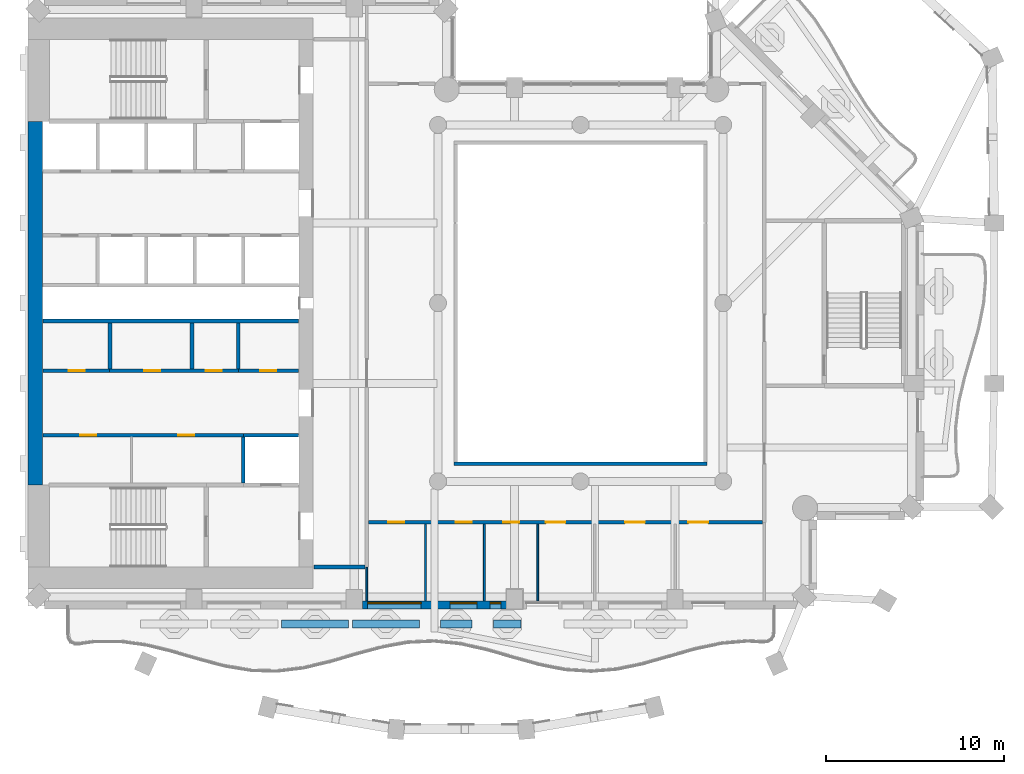
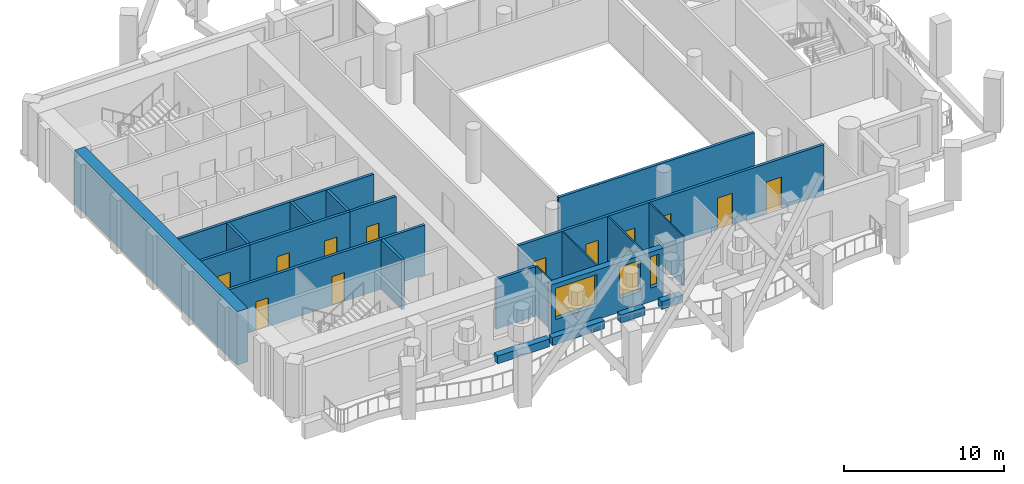
# One storey, part 4 of 16: 23 walls, 12 doors, 3 windows, 15 openings.
"""IFC4 building model written with IfcOpenShell, lengths in metres."""

from ifc_helpers import new_model, si_unit, direction, frame, frame_2d, origin, place, context, subcontext, project, spatial, rectangle, extrude, material, layer, layer_set, type_object, element, fill, save


model = new_model("IFC4")

# Units and contexts
model_context = context("Model", 3, precision=1e-05, world=origin(), true_north=direction((0.0, 1.0)))
body_context = subcontext(model_context, "Body", "Model", "MODEL_VIEW")
ifc_project = project(units=[si_unit("LENGTHUNIT", "METRE"), si_unit("AREAUNIT", "SQUARE_METRE"), si_unit("VOLUMEUNIT", "CUBIC_METRE"), si_unit("PLANEANGLEUNIT", "RADIAN"), si_unit("MASSUNIT", "GRAM", prefix="KILO")], contexts=[model_context])

# Site, building, storey
site_placement = place(None, origin())
site = spatial("IfcSite", under=ifc_project, at=site_placement, CompositionType="ELEMENT")
building_placement = place(site_placement, origin())
building = spatial("IfcBuilding", under=site, at=building_placement, Name="Cypress Arch Tower", CompositionType="ELEMENT")
storey_placement = place(building_placement, frame((0.0, 0.0, 230.199951171875)))
storey = spatial("IfcBuildingStorey", under=building, at=storey_placement, Name="L51", CompositionType="ELEMENT", Elevation=230.199951171875)

# Walls
ifc_material_1 = material(Name="Concrete C40/50, waterproofed", Category="concrete")
ifc_layer_1 = layer(ifc_material_1, 0.449951171875)
ifc_layer_set_1 = layer_set([ifc_layer_1], Name="Balcony planter wall PW450")
wall_type_1 = type_object("IfcWallType", Name="Balcony planter wall PW450", PredefinedType="SOLIDWALL", material=ifc_layer_set_1)
for number, where, z_axis, x_axis, name in (
    (1, (-15.77001953125, -18.0, 0.0), (0.0, 0.0, 1.0), (1.0, 0.0, 0.0), "Balcony planter wall L51-B01.3"),
    (2, (-11.81005859375, -18.0, 0.0), (0.0, 0.0, 1.0), (1.0, 0.0, 0.0), "Balcony planter wall L51-B01.4"),
):
    element("IfcWall", number, at=place(storey_placement, frame(where, z_axis=z_axis, x_axis=x_axis)), inside=storey, type_object=wall_type_1, Name=name, PredefinedType="SOLIDWALL", context=body_context, shape_type="SweptSolid", body=[
        extrude(rectangle(XDim=3.760009765625, YDim=0.449951171875, at=frame_2d((1.8798828125, 0.0))), origin(), (0.0, 0.0, 1.0), 0.60009765625),
    ])
wall_1_placement = place(storey_placement, frame((-6.85009765625, -18.0, 0.0), z_axis=(0.0, 0.0, 1.0), x_axis=(1.0, 0.0, 0.0)))
element("IfcWall", 3, at=wall_1_placement, inside=storey, type_object=wall_type_1, Name="Balcony planter wall L51-B01.5", PredefinedType="SOLIDWALL", context=body_context, shape_type="SweptSolid", body=[
    extrude(rectangle(XDim=1.760009765625, YDim=0.449951171875, at=frame_2d((0.8798828125, 0.0))), origin(), (0.0, 0.0, 1.0), 0.60009765625),
])
wall_2_placement = place(storey_placement, frame((-3.889892578125, -18.0, 0.0), z_axis=(0.0, 0.0, 1.0), x_axis=(1.0, 0.0, 0.0)))
element("IfcWall", 4, at=wall_2_placement, inside=storey, type_object=wall_type_1, Name="Balcony planter wall L51-B01.6", PredefinedType="SOLIDWALL", context=body_context, shape_type="SweptSolid", body=[
    extrude(rectangle(XDim=1.539794921875, YDim=0.449951171875, at=frame_2d((0.77001953125, 0.0))), origin(), (0.0, 0.0, 1.0), 0.60009765625),
])

# Wall, openings, windows
ifc_material_2 = material(Name="Brick (red buff blend)", Category="masonry")
ifc_layer_2 = layer(ifc_material_2, 0.449951171875)
ifc_layer_set_2 = layer_set([ifc_layer_2], Name="Brick pier and spandrel wall BW450")
wall_type_2 = type_object("IfcWallType", Name="Brick pier and spandrel wall BW450", PredefinedType="SOLIDWALL", material=ifc_layer_set_2)
wall_3_placement = place(storey_placement, frame((-11.25, -16.925048828125, 0.0), z_axis=(0.0, 0.0, 1.0), x_axis=(1.0, 0.0, 0.0)))
wall_3 = element("IfcWall", 5, at=wall_3_placement, inside=storey, type_object=wall_type_2, Name="Brick wall L51 B01.2", PredefinedType="SOLIDWALL", context=body_context, shape_type="SweptSolid", body=[
    extrude(rectangle(XDim=8.10009765625, YDim=0.449951171875, at=frame_2d((4.050048828125, 0.0))), origin(), (0.0, 0.0, 1.0), 3.800048828125),
])
opening_1_placement = place(wall_3_placement, frame((0.300048828125, 0.0, 1.050048828125)))
opening_1 = element("IfcOpeningElement", 6, at=opening_1_placement, cuts=wall_3, Name="Opening W300OD", PredefinedType="OPENING", context=body_context, shape_type="SweptSolid", body=[
    extrude(rectangle(XDim=3.0, YDim=2.39990234375, at=frame_2d((1.5, 1.199951171875))), frame((0.0, 0.23486328125, 0.0), z_axis=(0.0, -1.0, 0.0), x_axis=(1.0, 0.0, 0.0)), (0.0, 0.0, 1.0), 0.469970703125),
])
opening_2_placement = place(wall_3_placement, frame((4.925048828125, 0.0, 1.050048828125)))
opening_2 = element("IfcOpeningElement", 7, at=opening_2_placement, cuts=wall_3, Name="Opening W150OD", PredefinedType="OPENING", context=body_context, shape_type="SweptSolid", body=[
    extrude(rectangle(XDim=1.5, YDim=2.39990234375, at=frame_2d((0.75, 1.199951171875))), frame((0.0, 0.23486328125, 0.0), z_axis=(0.0, -1.0, 0.0), x_axis=(1.0, 0.0, 0.0)), (0.0, 0.0, 1.0), 0.469970703125),
])
opening_3_placement = place(wall_3_placement, frame((7.175048828125, 0.0, 1.050048828125)))
opening_3 = element("IfcOpeningElement", 8, at=opening_3_placement, cuts=wall_3, Name="Opening W060OD", PredefinedType="OPENING", context=body_context, shape_type="SweptSolid", body=[
    extrude(rectangle(XDim=0.60009765625, YDim=2.39990234375, at=frame_2d((0.300048828125, 1.199951171875))), frame((0.0, 0.23486328125, 0.0), z_axis=(0.0, -1.0, 0.0), x_axis=(1.0, 0.0, 0.0)), (0.0, 0.0, 1.0), 0.469970703125),
])
ifc_material_3 = material(Name="Anodised aluminium, bronze finish, laminated low-emissivity double glazing, large-missile impact rated", Category="aluminium")
window_type_1 = type_object("IfcWindowType", Name="Window Office 1500x2400 debris-rated", PartitioningType="SINGLE_PANEL", PredefinedType="WINDOW", material=ifc_material_3)
window_1_placement = place(opening_2_placement, origin())
window_1 = element("IfcWindow", 9, at=window_1_placement, inside=storey, type_object=window_type_1, Name="Window L51 B01.2.2", OverallHeight=2.39990234375, OverallWidth=1.5, PartitioningType="SINGLE_PANEL", PredefinedType="WINDOW", context=body_context, shape_type="SweptSolid", body=[
    extrude(rectangle(XDim=1.5, YDim=2.39990234375, at=frame_2d((0.75, 1.199951171875))), frame((0.0, 0.135009765625, 0.0), z_axis=(0.0, -1.0, 0.0), x_axis=(1.0, 0.0, 0.0)), (0.0, 0.0, 1.0), 0.06005859375),
])
fill(opening_2, window_1)
ifc_material_4 = material(Name="Anodised aluminium, bronze finish, laminated low-emissivity double glazing, large-missile impact rated", Category="aluminium")
window_type_2 = type_object("IfcWindowType", Name="Window Office 3000x2400 debris-rated", PartitioningType="SINGLE_PANEL", PredefinedType="WINDOW", material=ifc_material_4)
window_2_placement = place(opening_1_placement, origin())
window_2 = element("IfcWindow", 10, at=window_2_placement, inside=storey, type_object=window_type_2, Name="Window L51 B01.2.1", OverallHeight=2.39990234375, OverallWidth=3.0, PartitioningType="SINGLE_PANEL", PredefinedType="WINDOW", context=body_context, shape_type="SweptSolid", body=[
    extrude(rectangle(XDim=3.0, YDim=2.39990234375, at=frame_2d((1.5, 1.199951171875))), frame((0.0, 0.135009765625, 0.0), z_axis=(0.0, -1.0, 0.0), x_axis=(1.0, 0.0, 0.0)), (0.0, 0.0, 1.0), 0.06005859375),
])
fill(opening_1, window_2)
ifc_material_5 = material(Name="Anodised aluminium, bronze finish, laminated low-emissivity double glazing, large-missile impact rated", Category="aluminium")
window_type_3 = type_object("IfcWindowType", Name="Window Office 600x2400 debris-rated", PartitioningType="SINGLE_PANEL", PredefinedType="WINDOW", material=ifc_material_5)
window_3_placement = place(opening_3_placement, origin())
window_3 = element("IfcWindow", 11, at=window_3_placement, inside=storey, type_object=window_type_3, Name="Window L51 B01.2.2b", OverallHeight=2.39990234375, OverallWidth=0.60009765625, PartitioningType="SINGLE_PANEL", PredefinedType="WINDOW", context=body_context, shape_type="SweptSolid", body=[
    extrude(rectangle(XDim=0.60009765625, YDim=2.39990234375, at=frame_2d((0.300048828125, 1.199951171875))), frame((0.0, 0.135009765625, 0.0), z_axis=(0.0, -1.0, 0.0), x_axis=(1.0, 0.0, 0.0)), (0.0, 0.0, 1.0), 0.06005859375),
])
fill(opening_3, window_3)

# Wall
ifc_material_6 = material(Name="Concrete C70/85", Category="concrete")
ifc_layer_3 = layer(ifc_material_6, 0.800048828125)
ifc_layer_set_3 = layer_set([ifc_layer_3], Name="Core wall CW800 C70/85")
wall_type_3 = type_object("IfcWallType", Name="Core wall CW800 C70/85", PredefinedType="SHEAR", material=ifc_layer_set_3)
wall_4_placement = place(storey_placement, frame((-29.60009765625, -10.199951171875, 0.0), z_axis=(0.0, 0.0, 1.0), x_axis=(0.0, 1.0, 0.0)))
element("IfcWall", 12, at=wall_4_placement, inside=storey, type_object=wall_type_3, Name="Core wall", PredefinedType="SHEAR", context=body_context, shape_type="SweptSolid", body=[
    extrude(rectangle(XDim=20.39990234375, YDim=0.800048828125, at=frame_2d((10.199951171875, 0.0))), origin(), (0.0, 0.0, 1.0), 4.10009765625),
])

# Wall, openings, doors
ifc_material_7 = material(Name="Concrete blockwork, plastered, rated", Category="masonry")
ifc_layer_4 = layer(ifc_material_7, 0.199951171875)
ifc_layer_set_4 = layer_set([ifc_layer_4], Name="Corridor wall FW200")
wall_type_4 = type_object("IfcWallType", Name="Corridor wall FW200", PredefinedType="PARTITIONING", material=ifc_layer_set_4)
wall_5_placement = place(storey_placement, frame((-29.169921875, -7.39990234375, 0.0), z_axis=(0.0, 0.0, 1.0), x_axis=(1.0, 0.0, 0.0)))
wall_5 = element("IfcWall", 13, at=wall_5_placement, inside=storey, type_object=wall_type_4, Name="Corridor wall", PredefinedType="PARTITIONING", context=body_context, shape_type="SweptSolid", body=[
    extrude(rectangle(XDim=11.27001953125, YDim=0.199951171875, at=frame_2d((5.635009765625, 0.0))), origin(), (0.0, 0.0, 1.0), 3.800048828125),
])
opening_4_placement = place(wall_5_placement, frame((2.10009765625, 0.0, 0.0)))
opening_4 = element("IfcOpeningElement", 14, at=opening_4_placement, cuts=wall_5, Name="Opening D05", PredefinedType="OPENING", context=body_context, shape_type="SweptSolid", body=[
    extrude(rectangle(XDim=0.89990234375, YDim=2.199951171875, at=frame_2d((0.449951171875, 1.10009765625))), frame((0.0, 0.10986328125, 0.0), z_axis=(0.0, -1.0, 0.0), x_axis=(1.0, 0.0, 0.0)), (0.0, 0.0, 1.0), 0.219970703125),
])
opening_5_placement = place(wall_5_placement, frame((7.60009765625, 0.0, 0.0)))
opening_5 = element("IfcOpeningElement", 15, at=opening_5_placement, cuts=wall_5, Name="Opening D05", PredefinedType="OPENING", context=body_context, shape_type="SweptSolid", body=[
    extrude(rectangle(XDim=0.89990234375, YDim=2.199951171875, at=frame_2d((0.449951171875, 1.10009765625))), frame((0.0, 0.10986328125, 0.0), z_axis=(0.0, -1.0, 0.0), x_axis=(1.0, 0.0, 0.0)), (0.0, 0.0, 1.0), 0.219970703125),
])
ifc_material_8 = material(Name="Timber flush door", Category="wood")
door_type_1 = type_object("IfcDoorType", Name="Service door D05 900x2200", OperationType="SINGLE_SWING_LEFT", PredefinedType="DOOR", material=ifc_material_8)
door_1_placement = place(opening_4_placement, origin())
door_1 = element("IfcDoor", 16, at=door_1_placement, inside=storey, type_object=door_type_1, Name="Service door", OperationType="SINGLE_SWING_LEFT", OverallHeight=2.199951171875, OverallWidth=0.89990234375, PredefinedType="DOOR", context=body_context, shape_type="SweptSolid", body=[
    extrude(rectangle(XDim=0.89990234375, YDim=2.199951171875, at=frame_2d((0.449951171875, 1.10009765625))), frame((0.0, 0.02490234375, 0.0), z_axis=(0.0, -1.0, 0.0), x_axis=(1.0, 0.0, 0.0)), (0.0, 0.0, 1.0), 0.050048828125),
])
fill(opening_4, door_1)
door_2_placement = place(opening_5_placement, origin())
door_2 = element("IfcDoor", 17, at=door_2_placement, inside=storey, type_object=door_type_1, Name="Service door", OperationType="SINGLE_SWING_RIGHT", OverallHeight=2.199951171875, OverallWidth=0.89990234375, PredefinedType="DOOR", context=body_context, shape_type="SweptSolid", body=[
    extrude(rectangle(XDim=0.89990234375, YDim=2.199951171875, at=frame_2d((0.449951171875, 1.10009765625))), frame((0.0, 0.02490234375, 0.0), z_axis=(0.0, -1.0, 0.0), x_axis=(1.0, 0.0, 0.0)), (0.0, 0.0, 1.0), 0.050048828125),
])
fill(opening_5, door_2)

# Wall, opening, door
wall_6_placement = place(storey_placement, frame((-29.169921875, -3.800048828125, 0.0), z_axis=(0.0, 0.0, 1.0), x_axis=(1.0, 0.0, 0.0)))
wall_6 = element("IfcWall", 18, at=wall_6_placement, inside=storey, type_object=wall_type_4, Name="Corridor wall", PredefinedType="PARTITIONING", context=body_context, shape_type="SweptSolid", body=[
    extrude(rectangle(XDim=3.75, YDim=0.199951171875, at=frame_2d((1.875, 0.0))), origin(), (0.0, 0.0, 1.0), 3.800048828125),
])
opening_6_placement = place(wall_6_placement, frame((1.449951171875, 0.0, 0.0)))
opening_6 = element("IfcOpeningElement", 19, at=opening_6_placement, cuts=wall_6, Name="Opening D05", PredefinedType="OPENING", context=body_context, shape_type="SweptSolid", body=[
    extrude(rectangle(XDim=0.89990234375, YDim=2.199951171875, at=frame_2d((0.449951171875, 1.10009765625))), frame((0.0, 0.10986328125, 0.0), z_axis=(0.0, -1.0, 0.0), x_axis=(1.0, 0.0, 0.0)), (0.0, 0.0, 1.0), 0.219970703125),
])
door_3_placement = place(opening_6_placement, origin())
door_3 = element("IfcDoor", 20, at=door_3_placement, inside=storey, type_object=door_type_1, Name="Service door", OperationType="SINGLE_SWING_RIGHT", OverallHeight=2.199951171875, OverallWidth=0.89990234375, PredefinedType="DOOR", context=body_context, shape_type="SweptSolid", body=[
    extrude(rectangle(XDim=0.89990234375, YDim=2.199951171875, at=frame_2d((0.449951171875, 1.10009765625))), frame((0.0, 0.02490234375, 0.0), z_axis=(0.0, -1.0, 0.0), x_axis=(1.0, 0.0, 0.0)), (0.0, 0.0, 1.0), 0.050048828125),
])
fill(opening_6, door_3)

wall_7_placement = place(storey_placement, frame((-18.179931640625, -3.800048828125, 0.0), z_axis=(0.0, 0.0, 1.0), x_axis=(1.0, 0.0, 0.0)))
wall_7 = element("IfcWall", 21, at=wall_7_placement, inside=storey, type_object=wall_type_4, Name="Corridor wall", PredefinedType="PARTITIONING", context=body_context, shape_type="SweptSolid", body=[
    extrude(rectangle(XDim=3.349853515625, YDim=0.199951171875, at=frame_2d((1.6748046875, 0.0))), origin(), (0.0, 0.0, 1.0), 3.800048828125),
])
opening_7_placement = place(wall_7_placement, frame((1.199951171875, 0.0, 0.0)))
opening_7 = element("IfcOpeningElement", 22, at=opening_7_placement, cuts=wall_7, Name="Opening D05", PredefinedType="OPENING", context=body_context, shape_type="SweptSolid", body=[
    extrude(rectangle(XDim=0.89990234375, YDim=2.199951171875, at=frame_2d((0.449951171875, 1.10009765625))), frame((0.0, 0.10986328125, 0.0), z_axis=(0.0, -1.0, 0.0), x_axis=(1.0, 0.0, 0.0)), (0.0, 0.0, 1.0), 0.219970703125),
])
door_4_placement = place(opening_7_placement, origin())
door_4 = element("IfcDoor", 23, at=door_4_placement, inside=storey, type_object=door_type_1, Name="Service door", OperationType="SINGLE_SWING_LEFT", OverallHeight=2.199951171875, OverallWidth=0.89990234375, PredefinedType="DOOR", context=body_context, shape_type="SweptSolid", body=[
    extrude(rectangle(XDim=0.89990234375, YDim=2.199951171875, at=frame_2d((0.449951171875, 1.10009765625))), frame((0.0, 0.02490234375, 0.0), z_axis=(0.0, -1.0, 0.0), x_axis=(1.0, 0.0, 0.0)), (0.0, 0.0, 1.0), 0.050048828125),
])
fill(opening_7, door_4)

# Wall
wall_8_placement = place(storey_placement, frame((-13.969970703125, -14.800048828125, 0.0), z_axis=(0.0, 0.0, 1.0), x_axis=(1.0, 0.0, 0.0)))
element("IfcWall", 24, at=wall_8_placement, inside=storey, type_object=wall_type_4, Name="Corridor wall", PredefinedType="PARTITIONING", context=body_context, shape_type="SweptSolid", body=[
    extrude(rectangle(XDim=2.869873046875, YDim=0.199951171875, at=frame_2d((1.43505859375, 0.0))), origin(), (0.0, 0.0, 1.0), 3.800048828125),
])

# Wall, openings, doors
wall_9_placement = place(storey_placement, frame((-10.89990234375, -12.300048828125, 0.0), z_axis=(0.0, 0.0, 1.0), x_axis=(1.0, 0.0, 0.0)))
wall_9 = element("IfcWall", 25, at=wall_9_placement, inside=storey, type_object=wall_type_4, Name="Corridor wall", PredefinedType="PARTITIONING", context=body_context, shape_type="SweptSolid", body=[
    extrude(rectangle(XDim=22.099853515625, YDim=0.199951171875, at=frame_2d((11.0498046875, 0.0))), origin(), (0.0, 0.0, 1.0), 3.800048828125),
])
opening_8_placement = place(wall_9_placement, frame((1.10009765625, 0.0, 0.0)))
opening_8 = element("IfcOpeningElement", 26, at=opening_8_placement, cuts=wall_9, Name="Opening D03", PredefinedType="OPENING", context=body_context, shape_type="SweptSolid", body=[
    extrude(rectangle(XDim=0.89990234375, YDim=2.199951171875, at=frame_2d((0.449951171875, 1.10009765625))), frame((0.0, 0.10986328125, 0.0), z_axis=(0.0, -1.0, 0.0), x_axis=(1.0, 0.0, 0.0)), (0.0, 0.0, 1.0), 0.219970703125),
])
opening_9_placement = place(wall_9_placement, frame((4.89990234375, 0.0, 0.0)))
opening_9 = element("IfcOpeningElement", 27, at=opening_9_placement, cuts=wall_9, Name="Opening D03", PredefinedType="OPENING", context=body_context, shape_type="SweptSolid", body=[
    extrude(rectangle(XDim=0.89990234375, YDim=2.199951171875, at=frame_2d((0.449951171875, 1.10009765625))), frame((0.0, 0.10986328125, 0.0), z_axis=(0.0, -1.0, 0.0), x_axis=(1.0, 0.0, 0.0)), (0.0, 0.0, 1.0), 0.219970703125),
])
opening_10_placement = place(wall_9_placement, frame((7.550048828125, 0.0, 0.0)))
opening_10 = element("IfcOpeningElement", 28, at=opening_10_placement, cuts=wall_9, Name="Opening D03", PredefinedType="OPENING", context=body_context, shape_type="SweptSolid", body=[
    extrude(rectangle(XDim=0.89990234375, YDim=2.199951171875, at=frame_2d((0.449951171875, 1.10009765625))), frame((0.0, 0.10986328125, 0.0), z_axis=(0.0, -1.0, 0.0), x_axis=(1.0, 0.0, 0.0)), (0.0, 0.0, 1.0), 0.219970703125),
])
opening_11_placement = place(wall_9_placement, frame((9.949951171875, 0.0, 0.0)))
opening_11 = element("IfcOpeningElement", 29, at=opening_11_placement, cuts=wall_9, Name="Opening D01", PredefinedType="OPENING", context=body_context, shape_type="SweptSolid", body=[
    extrude(rectangle(XDim=1.10009765625, YDim=2.39990234375, at=frame_2d((0.550048828125, 1.199951171875))), frame((0.0, 0.10986328125, 0.0), z_axis=(0.0, -1.0, 0.0), x_axis=(1.0, 0.0, 0.0)), (0.0, 0.0, 1.0), 0.219970703125),
])
opening_12_placement = place(wall_9_placement, frame((14.39990234375, 0.0, 0.0)))
opening_12 = element("IfcOpeningElement", 30, at=opening_12_placement, cuts=wall_9, Name="Opening D01", PredefinedType="OPENING", context=body_context, shape_type="SweptSolid", body=[
    extrude(rectangle(XDim=1.10009765625, YDim=2.39990234375, at=frame_2d((0.550048828125, 1.199951171875))), frame((0.0, 0.10986328125, 0.0), z_axis=(0.0, -1.0, 0.0), x_axis=(1.0, 0.0, 0.0)), (0.0, 0.0, 1.0), 0.219970703125),
])
opening_13_placement = place(wall_9_placement, frame((17.949951171875, 0.0, 0.0)))
opening_13 = element("IfcOpeningElement", 31, at=opening_13_placement, cuts=wall_9, Name="Opening D01", PredefinedType="OPENING", context=body_context, shape_type="SweptSolid", body=[
    extrude(rectangle(XDim=1.10009765625, YDim=2.39990234375, at=frame_2d((0.550048828125, 1.199951171875))), frame((0.0, 0.10986328125, 0.0), z_axis=(0.0, -1.0, 0.0), x_axis=(1.0, 0.0, 0.0)), (0.0, 0.0, 1.0), 0.219970703125),
])
ifc_material_9 = material(Name="Timber flush door, moisture resistant", Category="wood")
door_type_2 = type_object("IfcDoorType", Name="Bathroom door D03 900x2200", OperationType="SINGLE_SWING_LEFT", PredefinedType="DOOR", material=ifc_material_9)
door_5_placement = place(opening_8_placement, origin())
door_5 = element("IfcDoor", 32, at=door_5_placement, inside=storey, type_object=door_type_2, Name="Bathroom door", OperationType="SINGLE_SWING_RIGHT", OverallHeight=2.199951171875, OverallWidth=0.89990234375, PredefinedType="DOOR", context=body_context, shape_type="SweptSolid", body=[
    extrude(rectangle(XDim=0.89990234375, YDim=2.199951171875, at=frame_2d((0.449951171875, 1.10009765625))), frame((0.0, 0.02490234375, 0.0), z_axis=(0.0, -1.0, 0.0), x_axis=(1.0, 0.0, 0.0)), (0.0, 0.0, 1.0), 0.050048828125),
])
fill(opening_8, door_5)
door_6_placement = place(opening_9_placement, origin())
door_6 = element("IfcDoor", 33, at=door_6_placement, inside=storey, type_object=door_type_2, Name="Bathroom door", OperationType="SINGLE_SWING_LEFT", OverallHeight=2.199951171875, OverallWidth=0.89990234375, PredefinedType="DOOR", context=body_context, shape_type="SweptSolid", body=[
    extrude(rectangle(XDim=0.89990234375, YDim=2.199951171875, at=frame_2d((0.449951171875, 1.10009765625))), frame((0.0, 0.02490234375, 0.0), z_axis=(0.0, -1.0, 0.0), x_axis=(1.0, 0.0, 0.0)), (0.0, 0.0, 1.0), 0.050048828125),
])
fill(opening_9, door_6)
door_7_placement = place(opening_10_placement, origin())
door_7 = element("IfcDoor", 34, at=door_7_placement, inside=storey, type_object=door_type_2, Name="Bathroom door", OperationType="SINGLE_SWING_RIGHT", OverallHeight=2.199951171875, OverallWidth=0.89990234375, PredefinedType="DOOR", context=body_context, shape_type="SweptSolid", body=[
    extrude(rectangle(XDim=0.89990234375, YDim=2.199951171875, at=frame_2d((0.449951171875, 1.10009765625))), frame((0.0, 0.02490234375, 0.0), z_axis=(0.0, -1.0, 0.0), x_axis=(1.0, 0.0, 0.0)), (0.0, 0.0, 1.0), 0.050048828125),
])
fill(opening_10, door_7)
ifc_material_10 = material(Name="Timber flush door, fire resisting, self-closing", Category="wood")
door_type_3 = type_object("IfcDoorType", Name="Unit entrance door D01 1100x2400", OperationType="SINGLE_SWING_LEFT", PredefinedType="DOOR", material=ifc_material_10)
door_8_placement = place(opening_11_placement, origin())
door_8 = element("IfcDoor", 35, at=door_8_placement, inside=storey, type_object=door_type_3, Name="Unit entrance door", OperationType="SINGLE_SWING_RIGHT", OverallHeight=2.39990234375, OverallWidth=1.10009765625, PredefinedType="DOOR", context=body_context, shape_type="SweptSolid", body=[
    extrude(rectangle(XDim=1.10009765625, YDim=2.39990234375, at=frame_2d((0.550048828125, 1.199951171875))), frame((0.0, 0.02490234375, 0.0), z_axis=(0.0, -1.0, 0.0), x_axis=(1.0, 0.0, 0.0)), (0.0, 0.0, 1.0), 0.050048828125),
])
fill(opening_11, door_8)
door_9_placement = place(opening_12_placement, origin())
door_9 = element("IfcDoor", 36, at=door_9_placement, inside=storey, type_object=door_type_3, Name="Unit entrance door", OperationType="SINGLE_SWING_LEFT", OverallHeight=2.39990234375, OverallWidth=1.10009765625, PredefinedType="DOOR", context=body_context, shape_type="SweptSolid", body=[
    extrude(rectangle(XDim=1.10009765625, YDim=2.39990234375, at=frame_2d((0.550048828125, 1.199951171875))), frame((0.0, 0.02490234375, 0.0), z_axis=(0.0, -1.0, 0.0), x_axis=(1.0, 0.0, 0.0)), (0.0, 0.0, 1.0), 0.050048828125),
])
fill(opening_12, door_9)
door_10_placement = place(opening_13_placement, origin())
door_10 = element("IfcDoor", 37, at=door_10_placement, inside=storey, type_object=door_type_3, Name="Unit entrance door", OperationType="SINGLE_SWING_RIGHT", OverallHeight=2.39990234375, OverallWidth=1.10009765625, PredefinedType="DOOR", context=body_context, shape_type="SweptSolid", body=[
    extrude(rectangle(XDim=1.10009765625, YDim=2.39990234375, at=frame_2d((0.550048828125, 1.199951171875))), frame((0.0, 0.02490234375, 0.0), z_axis=(0.0, -1.0, 0.0), x_axis=(1.0, 0.0, 0.0)), (0.0, 0.0, 1.0), 0.050048828125),
])
fill(opening_13, door_10)

# Walls
wall_10_placement = place(storey_placement, frame((-6.10009765625, -9.0, 0.0), z_axis=(0.0, 0.0, 1.0), x_axis=(1.0, 0.0, 0.0)))
element("IfcWall", 38, at=wall_10_placement, inside=storey, type_object=wall_type_4, Name="Corridor wall", PredefinedType="PARTITIONING", context=body_context, shape_type="SweptSolid", body=[
    extrude(rectangle(XDim=14.2001953125, YDim=0.199951171875, at=frame_2d((7.10009765625, 0.0))), origin(), (0.0, 0.0, 1.0), 3.800048828125),
])
ifc_material_11 = material(Name="Reinforced blockwork, plastered, rated", Category="masonry")
ifc_layer_5 = layer(ifc_material_11, 0.199951171875)
ifc_layer_set_5 = layer_set([ifc_layer_5], Name="Plant and riser wall PL200")
wall_type_5 = type_object("IfcWallType", Name="Plant and riser wall PL200", PredefinedType="PARTITIONING", material=ifc_layer_set_5)
wall_11_placement = place(storey_placement, frame((-29.169921875, -1.0, 0.0), z_axis=(0.0, 0.0, 1.0), x_axis=(1.0, 0.0, 0.0)))
element("IfcWall", 39, at=wall_11_placement, inside=storey, type_object=wall_type_5, Name="Plant and riser wall", PredefinedType="PARTITIONING", context=body_context, shape_type="SweptSolid", body=[
    extrude(rectangle(XDim=14.33984375, YDim=0.199951171875, at=frame_2d((7.169921875, 0.0))), origin(), (0.0, 0.0, 1.0), 3.800048828125),
])

# Wall, openings, doors
wall_12_placement = place(storey_placement, frame((-25.419921875, -3.800048828125, 0.0), z_axis=(0.0, 0.0, 1.0), x_axis=(1.0, 0.0, 0.0)))
wall_12 = element("IfcWall", 40, at=wall_12_placement, inside=storey, type_object=wall_type_5, Name="Plant and riser wall", PredefinedType="PARTITIONING", context=body_context, shape_type="SweptSolid", body=[
    extrude(rectangle(XDim=7.239990234375, YDim=0.199951171875, at=frame_2d((3.6201171875, 0.0))), origin(), (0.0, 0.0, 1.0), 3.800048828125),
])
opening_14_placement = place(wall_12_placement, frame((1.949951171875, 0.0, 0.0)))
opening_14 = element("IfcOpeningElement", 41, at=opening_14_placement, cuts=wall_12, Name="Opening D05", PredefinedType="OPENING", context=body_context, shape_type="SweptSolid", body=[
    extrude(rectangle(XDim=0.89990234375, YDim=2.199951171875, at=frame_2d((0.449951171875, 1.10009765625))), frame((0.0, 0.10986328125, 0.0), z_axis=(0.0, -1.0, 0.0), x_axis=(1.0, 0.0, 0.0)), (0.0, 0.0, 1.0), 0.219970703125),
])
opening_15_placement = place(wall_12_placement, frame((5.39990234375, 0.0, 0.0)))
opening_15 = element("IfcOpeningElement", 42, at=opening_15_placement, cuts=wall_12, Name="Opening D05", PredefinedType="OPENING", context=body_context, shape_type="SweptSolid", body=[
    extrude(rectangle(XDim=0.89990234375, YDim=2.199951171875, at=frame_2d((0.449951171875, 1.10009765625))), frame((0.0, 0.10986328125, 0.0), z_axis=(0.0, -1.0, 0.0), x_axis=(1.0, 0.0, 0.0)), (0.0, 0.0, 1.0), 0.219970703125),
])
door_11_placement = place(opening_14_placement, origin())
door_11 = element("IfcDoor", 43, at=door_11_placement, inside=storey, type_object=door_type_1, Name="Service door", OperationType="SINGLE_SWING_RIGHT", OverallHeight=2.199951171875, OverallWidth=0.89990234375, PredefinedType="DOOR", context=body_context, shape_type="SweptSolid", body=[
    extrude(rectangle(XDim=0.89990234375, YDim=2.199951171875, at=frame_2d((0.449951171875, 1.10009765625))), frame((0.0, 0.02490234375, 0.0), z_axis=(0.0, -1.0, 0.0), x_axis=(1.0, 0.0, 0.0)), (0.0, 0.0, 1.0), 0.050048828125),
])
fill(opening_14, door_11)
door_12_placement = place(opening_15_placement, origin())
door_12 = element("IfcDoor", 44, at=door_12_placement, inside=storey, type_object=door_type_1, Name="Service door", OperationType="SINGLE_SWING_LEFT", OverallHeight=2.199951171875, OverallWidth=0.89990234375, PredefinedType="DOOR", context=body_context, shape_type="SweptSolid", body=[
    extrude(rectangle(XDim=0.89990234375, YDim=2.199951171875, at=frame_2d((0.449951171875, 1.10009765625))), frame((0.0, 0.02490234375, 0.0), z_axis=(0.0, -1.0, 0.0), x_axis=(1.0, 0.0, 0.0)), (0.0, 0.0, 1.0), 0.050048828125),
])
fill(opening_15, door_12)

# Walls
for number, where, z_axis, x_axis, name in (
    (45, (-25.39990234375, -3.699951171875, 0.0), (0.0, 0.0, 1.0), (0.0, 1.0, 0.0), "Plant and riser wall"),
    (46, (-20.800048828125, -3.699951171875, 0.0), (0.0, 0.0, 1.0), (0.0, 1.0, 0.0), "Plant and riser wall"),
    (47, (-18.199951171875, -3.699951171875, 0.0), (0.0, 0.0, 1.0), (0.0, 1.0, 0.0), "Plant and riser wall"),
):
    element("IfcWall", number, at=place(storey_placement, frame(where, z_axis=z_axis, x_axis=x_axis)), inside=storey, type_object=wall_type_5, Name=name, PredefinedType="PARTITIONING", context=body_context, shape_type="SweptSolid", body=[
        extrude(rectangle(XDim=2.599853515625, YDim=0.199951171875, at=frame_2d((1.2998046875, 0.0))), origin(), (0.0, 0.0, 1.0), 3.800048828125),
    ])
ifc_material_12 = material(Name="Concrete C50/60", Category="concrete")
ifc_layer_6 = layer(ifc_material_12, 0.199951171875)
ifc_layer_set_6 = layer_set([ifc_layer_6], Name="Shaft wall SH200")
wall_type_6 = type_object("IfcWallType", Name="Shaft wall SH200", PredefinedType="SHEAR", material=ifc_layer_set_6)
wall_13_placement = place(storey_placement, frame((-17.919921875, -10.10009765625, 0.0), z_axis=(0.0, 0.0, 1.0), x_axis=(0.0, 1.0, 0.0)))
element("IfcWall", 48, at=wall_13_placement, inside=storey, type_object=wall_type_6, Name="Shaft wall", PredefinedType="SHEAR", context=body_context, shape_type="SweptSolid", body=[
    extrude(rectangle(XDim=2.60009765625, YDim=0.199951171875, at=frame_2d((1.300048828125, 0.0))), origin(), (0.0, 0.0, 1.0), 3.800048828125),
])
wall_14_placement = place(storey_placement, frame((-17.89990234375, -7.39990234375, 0.0), z_axis=(0.0, 0.0, 1.0), x_axis=(1.0, 0.0, 0.0)))
element("IfcWall", 49, at=wall_14_placement, inside=storey, type_object=wall_type_6, Name="Shaft wall", PredefinedType="SHEAR", context=body_context, shape_type="SweptSolid", body=[
    extrude(rectangle(XDim=3.06982421875, YDim=0.199951171875, at=frame_2d((1.534912109375, 0.0))), origin(), (0.0, 0.0, 1.0), 3.800048828125),
])
ifc_material_13 = material(Name="Moisture resistant board on steel studs, tiled", Category="steel")
ifc_layer_7 = layer(ifc_material_13, 0.10009765625)
ifc_layer_set_7 = layer_set([ifc_layer_7], Name="Wet wall PW100")
wall_type_7 = type_object("IfcWallType", Name="Wet wall PW100", PredefinedType="PARTITIONING", material=ifc_layer_set_7)
wall_15_placement = place(storey_placement, frame((-11.0, -16.699951171875, 0.0), z_axis=(0.0, 0.0, 1.0), x_axis=(0.0, 1.0, 0.0)))
element("IfcWall", 50, at=wall_15_placement, inside=storey, type_object=wall_type_7, Name="Wet wall", PredefinedType="PARTITIONING", context=body_context, shape_type="SweptSolid", body=[
    extrude(rectangle(XDim=1.8798828125, YDim=0.10009765625, at=frame_2d((0.93994140625, 0.0))), origin(), (0.0, 0.0, 1.0), 3.800048828125),
])
for number, where, z_axis, x_axis, name in (
    (51, (-7.699951171875, -16.699951171875, 0.0), (0.0, 0.0, 1.0), (0.0, 1.0, 0.0), "Wet wall"),
    (52, (-4.39990234375, -16.699951171875, 0.0), (0.0, 0.0, 1.0), (0.0, 1.0, 0.0), "Wet wall"),
    (53, (-1.39990234375, -16.699951171875, 0.0), (0.0, 0.0, 1.0), (0.0, 1.0, 0.0), "Wet wall"),
):
    element("IfcWall", number, at=place(storey_placement, frame(where, z_axis=z_axis, x_axis=x_axis)), inside=storey, type_object=wall_type_7, Name=name, PredefinedType="PARTITIONING", context=body_context, shape_type="SweptSolid", body=[
        extrude(rectangle(XDim=4.300048828125, YDim=0.10009765625, at=frame_2d((2.14990234375, 0.0))), origin(), (0.0, 0.0, 1.0), 3.800048828125),
    ])

save(model, "model.ifc")
